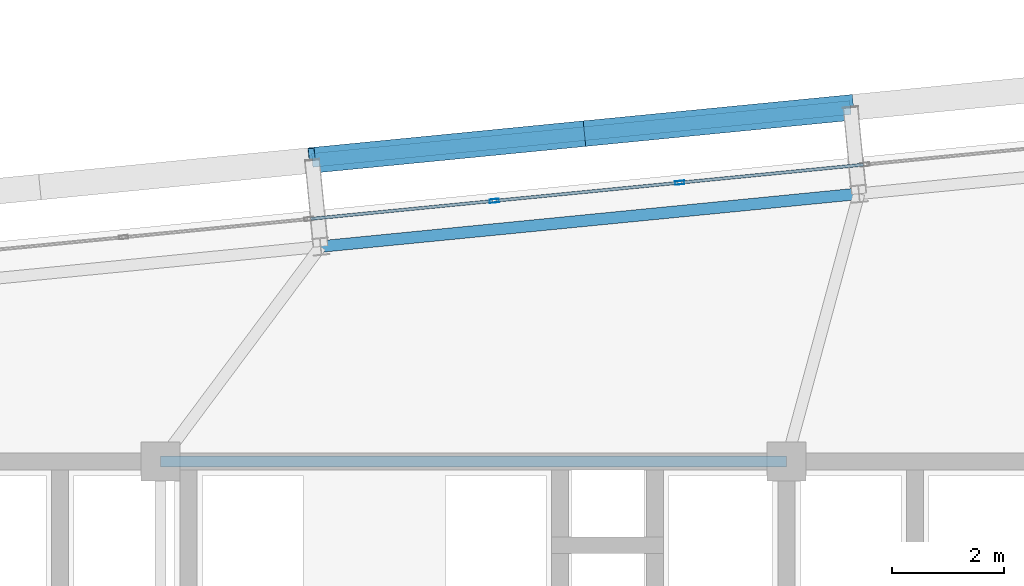
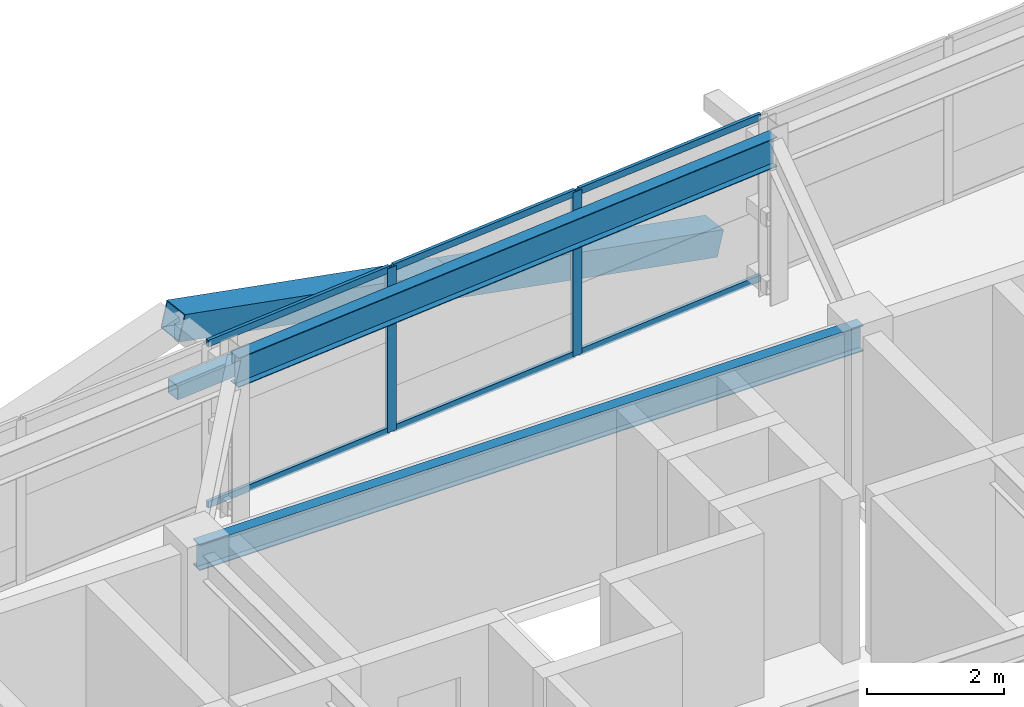
# One storey, part 30 of 53: 11 members, 2 beams, 1 element without a shape of its own.
"""IFC4 building model written with IfcOpenShell, lengths in metres."""

from ifc_helpers import new_model, si_unit, direction, frame, origin, origin_2d, place, context, subcontext, project, spatial, hollow_rectangle, i_section, extrude, source, transform, mapped, material, layer, layer_set, material_profile, profile_set, type_object, element, aggregate, save


model = new_model("IFC4")

# Units and contexts
model_context = context("Model", 3, precision=1e-05, world=origin(), true_north=direction((0.0, 1.0)))
body_context = subcontext(model_context, "Body", "Model", "MODEL_VIEW")
ifc_project = project(units=[si_unit("LENGTHUNIT", "METRE"), si_unit("AREAUNIT", "SQUARE_METRE"), si_unit("VOLUMEUNIT", "CUBIC_METRE"), si_unit("PLANEANGLEUNIT", "RADIAN"), si_unit("MASSUNIT", "GRAM", prefix="KILO")], contexts=[model_context])

# Site, building, storey
site_placement = place(None, origin())
site = spatial("IfcSite", under=ifc_project, at=site_placement, CompositionType="ELEMENT")
building_placement = place(site_placement, origin())
building = spatial("IfcBuilding", under=site, at=building_placement, Name="Taldren Reach Tower", CompositionType="ELEMENT")
storey_placement = place(building_placement, frame((0.0, 0.0, 71.39990234375)))
storey = spatial("IfcBuildingStorey", under=building, at=storey_placement, Name="L21", CompositionType="ELEMENT", Elevation=71.39990234375)

# Beams
ifc_material_1 = material(Name="Steel Gr 350 (350PLUS)", Category="steel")
ifc_material_profile_1 = material_profile(ifc_material_1, i_section(OverallWidth=0.19091796875, OverallDepth=0.4599609375, WebThickness=0.010009765625, FlangeThickness=0.01611328125, at=origin_2d()), Name="460UB82.1")
ifc_profile_set_1 = profile_set([ifc_material_profile_1], Name="Steel Gr 350 (350PLUS)")
beam_type_1 = type_object("IfcBeamType", Name="BM-UB460A", PredefinedType="BEAM", material=ifc_profile_set_1)
shared_shape_1 = source(origin(), body_context, "Body", "SweptSolid", [
    extrude(i_section(OverallWidth=0.19091796875, OverallDepth=0.4599609375, WebThickness=0.010009765625, FlangeThickness=0.01611328125, at=origin_2d()), origin(), (0.0, 0.0, 1.0), 11.199951171875),
])
beam_1_placement = place(storey_placement, frame((28.0, 32.0, 2.7001953125), z_axis=(1.0, 0.0, 0.0), x_axis=(0.0, 1.0, 0.0)))
element("IfcBeam", 1, at=beam_1_placement, inside=storey, type_object=beam_type_1, Name="Core-spine girder L21-SP05", PredefinedType="BEAM", context=body_context, shape_type="MappedRepresentation", body=[
    mapped(shared_shape_1, transform((0.0, 0.0, 0.0), scale=1.0)),
])
ifc_material_profile_2 = material_profile(ifc_material_1, i_section(OverallWidth=0.208984375, OverallDepth=0.528076171875, WebThickness=0.009521484375, FlangeThickness=0.01318359375, at=origin_2d()), Name="530UB82.0")
ifc_profile_set_2 = profile_set([ifc_material_profile_2], Name="Steel Gr 350 (350PLUS)")
beam_type_2 = type_object("IfcBeamType", Name="SP-UB530B", PredefinedType="SPANDREL", material=ifc_profile_set_2)
shared_shape_2 = source(origin(), body_context, "Body", "SweptSolid", [
    extrude(i_section(OverallWidth=0.208984375, OverallDepth=0.528076171875, WebThickness=0.009521484375, FlangeThickness=0.01318359375, at=origin_2d()), origin(), (0.0, 0.0, 1.0), 9.679931640625),
])
beam_2_placement = place(storey_placement, frame((40.498291015625, 36.790771484375, 2.666015625), z_axis=(-0.995227612658, -0.097580730699, 0.0), x_axis=(0.097580730699, -0.995227612658, 0.0)))
element("IfcBeam", 2, at=beam_2_placement, inside=storey, type_object=beam_type_2, Name="Perimeter spandrel B2 N4-N3 L21", PredefinedType="SPANDREL", context=body_context, shape_type="MappedRepresentation", body=[
    mapped(shared_shape_2, transform((0.0, 0.0, 0.0), scale=1.0)),
])

# Members
ifc_material_2 = material(Name="Steel Gr 450 (C450L0)", Category="steel")
ifc_material_profile_3 = material_profile(ifc_material_2, hollow_rectangle(XDim=0.4599609375, YDim=0.4599609375, WallThickness=0.01611328125, at=origin_2d()), Name="460x460x16.0SHS")
ifc_profile_set_3 = profile_set([ifc_material_profile_3], Name="Steel Gr 450 (C450L0)")
member_type_1 = type_object("IfcMemberType", Name="MB-EXO457", PredefinedType="BRACE", material=ifc_profile_set_3)
shared_shape_3 = source(origin(), body_context, "Body", "SweptSolid", [
    extrude(hollow_rectangle(XDim=0.4599609375, YDim=0.4599609375, WallThickness=0.01611328125, at=origin_2d()), origin(), (0.0, 0.0, 1.0), 4.990234375),
])
for number, where, z_axis, x_axis, name in (
    (3, (40.346923828125, 38.333251953125, 0.22021484375), (-0.965287024526, -0.094620633828, 0.24344998652), (0.097555749586, -0.995230061706, 0.0), "Exoskeleton Diagrid Brace B2-N3 L21"),
    (4, (35.530029296875, 37.861083984375, 1.43505859375), (-0.965271056716, -0.094667992638, 0.243494883389), (0.097605711627, -0.995225162995, 0.0), "Exoskeleton Diagrid Brace B2-N3 L21"),
):
    element("IfcMember", number, at=place(storey_placement, frame(where, z_axis=z_axis, x_axis=x_axis)), inside=storey, type_object=member_type_1, Name=name, PredefinedType="BRACE", context=body_context, shape_type="MappedRepresentation", body=[
        mapped(shared_shape_3, transform((0.0, 0.0, 0.0), scale=1.0)),
    ])
ifc_material_3 = material(Name="Steel Gr 350 (C350L0)", Category="steel")
ifc_material_profile_4 = material_profile(ifc_material_3, hollow_rectangle(XDim=0.25, YDim=0.25, WallThickness=0.010009765625, at=origin_2d()), Name="250x250x10.0SHS")
ifc_profile_set_4 = profile_set([ifc_material_profile_4], Name="Steel Gr 350 (C350L0)")
member_type_2 = type_object("IfcMemberType", Name="MB-POST250", PredefinedType="POST", material=ifc_profile_set_4)
shared_shape_4 = source(origin(), body_context, "Body", "SweptSolid", [
    extrude(hollow_rectangle(XDim=0.25, YDim=0.25, WallThickness=0.010009765625, at=origin_2d()), origin(), (0.0, 0.0, 1.0), 9.679931640625),
])
member_1_placement = place(storey_placement, frame((30.713134765625, 37.388671875, 1.43505859375), z_axis=(0.995227612658, 0.097580730699, 0.0), x_axis=(-0.097580730699, 0.995227612658, 0.0)))
element("IfcMember", 5, at=member_1_placement, inside=storey, type_object=member_type_2, Name="Exoskeleton mid-height ring chord B2-N3 L21", PredefinedType="POST", context=body_context, shape_type="MappedRepresentation", body=[
    mapped(shared_shape_4, transform((0.0, 0.0, 0.0), scale=1.0)),
])

# Curtain wall, members
ifc_material_4 = material(Name="Aluminium and Low-E Glass Unitised System", Category="aluminium")
ifc_layer = layer(ifc_material_4, 0.159912109375)
ifc_layer_set = layer_set([ifc_layer], Name="Aluminium and Low-E Glass Unitised System")
curtain_wall_type = type_object("IfcCurtainWallType", Name="CW-SYS-3", PredefinedType="NOTDEFINED", material=ifc_layer_set)
curtain_wall_placement = place(storey_placement, origin())
curtain_wall = element("IfcCurtainWall", 6, at=curtain_wall_placement, inside=storey, type_object=curtain_wall_type, Name="Unitised curtain wall CW-L21-N", PredefinedType="NOTDEFINED")
ifc_material_5 = material(Name="Anodised Aluminium 6063-T6", Category="aluminium")
ifc_material_profile_5 = material_profile(ifc_material_5, hollow_rectangle(XDim=0.06494140625, YDim=0.1650390625, WallThickness=0.00390625, at=origin_2d()), Name="ALU-165x65x4RHS")
ifc_profile_set_5 = profile_set([ifc_material_profile_5], Name="Anodised Aluminium 6063-T6")
member_type_3 = type_object("IfcMemberType", Name="CW-MUL-165", PredefinedType="MULLION", material=ifc_profile_set_5)
shared_shape_5 = source(origin(), body_context, "Body", "SweptSolid", [
    extrude(hollow_rectangle(XDim=0.06494140625, YDim=0.1650390625, WallThickness=0.00390625, at=origin_2d()), origin(), (0.0, 0.0, 1.0), 2.93017578125),
])
member_2_placement = place(storey_placement, frame((37.290283203125, 36.988525390625, 0.0), z_axis=(0.0, 0.0, 1.0), x_axis=(0.097582999046, -0.995227390247, 0.0)))
member_2 = element("IfcMember", 7, at=member_2_placement, type_object=member_type_3, Name="CW-3 mullion 8", PredefinedType="MULLION", context=body_context, shape_type="MappedRepresentation", body=[
    mapped(shared_shape_5, transform((0.0, 0.0, 0.0), scale=1.0)),
])
member_3_placement = place(storey_placement, frame((33.972900390625, 36.663330078125, 0.0), z_axis=(0.0, 0.0, 1.0), x_axis=(0.097582999046, -0.995227390247, 0.0)))
member_3 = element("IfcMember", 8, at=member_3_placement, type_object=member_type_3, Name="CW-3 mullion 9", PredefinedType="MULLION", context=body_context, shape_type="MappedRepresentation", body=[
    mapped(shared_shape_5, transform((0.0, 0.0, 0.0), scale=1.0)),
])
ifc_material_profile_6 = material_profile(ifc_material_5, hollow_rectangle(XDim=0.054931640625, YDim=0.1201171875, WallThickness=0.0029296875, at=origin_2d()), Name="ALU-120x55x3RHS")
ifc_profile_set_6 = profile_set([ifc_material_profile_6], Name="Anodised Aluminium 6063-T6")
member_type_4 = type_object("IfcMemberType", Name="CW-TRN-135", PredefinedType="USERDEFINED", material=ifc_profile_set_6)
shared_shape_6 = source(origin(), body_context, "Body", "SweptSolid", [
    extrude(hollow_rectangle(XDim=0.054931640625, YDim=0.1201171875, WallThickness=0.0029296875, at=origin_2d()), origin(), (0.0, 0.0, 1.0), 3.268310546875),
])
member_4_placement = place(storey_placement, frame((37.2578125, 36.9853515625, 0.027587890625), z_axis=(-0.99522980512, -0.097558367146, 0.0), x_axis=(0.097558367146, -0.99522980512, 0.0)))
member_4 = element("IfcMember", 9, at=member_4_placement, type_object=member_type_4, Name="CW-3 transom 8.1", ObjectType="TRANSOM", PredefinedType="USERDEFINED", context=body_context, shape_type="MappedRepresentation", body=[
    mapped(shared_shape_6, transform((0.0, 0.0, 0.0), scale=1.0)),
])
member_5_placement = place(storey_placement, frame((37.2578125, 36.9853515625, 2.902587890625), z_axis=(-0.99522980512, -0.097558367146, 0.0), x_axis=(0.097558367146, -0.99522980512, 0.0)))
member_5 = element("IfcMember", 10, at=member_5_placement, type_object=member_type_4, Name="CW-3 transom 8.2", ObjectType="TRANSOM", PredefinedType="USERDEFINED", context=body_context, shape_type="MappedRepresentation", body=[
    mapped(shared_shape_6, transform((0.0, 0.0, 0.0), scale=1.0)),
])
member_6_placement = place(storey_placement, frame((33.9404296875, 36.66015625, 0.027587890625), z_axis=(-0.99522980512, -0.097558367146, 0.0), x_axis=(0.097558367146, -0.99522980512, 0.0)))
member_6 = element("IfcMember", 11, at=member_6_placement, type_object=member_type_4, Name="CW-3 transom 9.1", ObjectType="TRANSOM", PredefinedType="USERDEFINED", context=body_context, shape_type="MappedRepresentation", body=[
    mapped(shared_shape_6, transform((0.0, 0.0, 0.0), scale=1.0)),
])
member_7_placement = place(storey_placement, frame((33.9404296875, 36.66015625, 2.902587890625), z_axis=(-0.99522980512, -0.097558367146, 0.0), x_axis=(0.097558367146, -0.99522980512, 0.0)))
member_7 = element("IfcMember", 12, at=member_7_placement, type_object=member_type_4, Name="CW-3 transom 9.2", ObjectType="TRANSOM", PredefinedType="USERDEFINED", context=body_context, shape_type="MappedRepresentation", body=[
    mapped(shared_shape_6, transform((0.0, 0.0, 0.0), scale=1.0)),
])
shared_shape_7 = source(origin(), body_context, "Body", "SweptSolid", [
    extrude(hollow_rectangle(XDim=0.054931640625, YDim=0.1201171875, WallThickness=0.0029296875, at=origin_2d()), origin(), (0.0, 0.0, 1.0), 3.2685546875),
])
member_8_placement = place(storey_placement, frame((40.575439453125, 37.310791015625, 0.027587890625), z_axis=(-0.995223261527, -0.09762509778, 0.0), x_axis=(0.09762509778, -0.995223261527, 0.0)))
member_8 = element("IfcMember", 13, at=member_8_placement, type_object=member_type_4, Name="CW-3 transom 7.1", ObjectType="TRANSOM", PredefinedType="USERDEFINED", context=body_context, shape_type="MappedRepresentation", body=[
    mapped(shared_shape_7, transform((0.0, 0.0, 0.0), scale=1.0)),
])
member_9_placement = place(storey_placement, frame((40.575439453125, 37.310791015625, 2.902587890625), z_axis=(-0.995223261527, -0.09762509778, 0.0), x_axis=(0.09762509778, -0.995223261527, 0.0)))
member_9 = element("IfcMember", 14, at=member_9_placement, type_object=member_type_4, Name="CW-3 transom 7.2", ObjectType="TRANSOM", PredefinedType="USERDEFINED", context=body_context, shape_type="MappedRepresentation", body=[
    mapped(shared_shape_7, transform((0.0, 0.0, 0.0), scale=1.0)),
])
aggregate(curtain_wall, [member_2, member_3, member_8, member_9, member_4, member_5, member_6, member_7])

save(model, "model.ifc")
